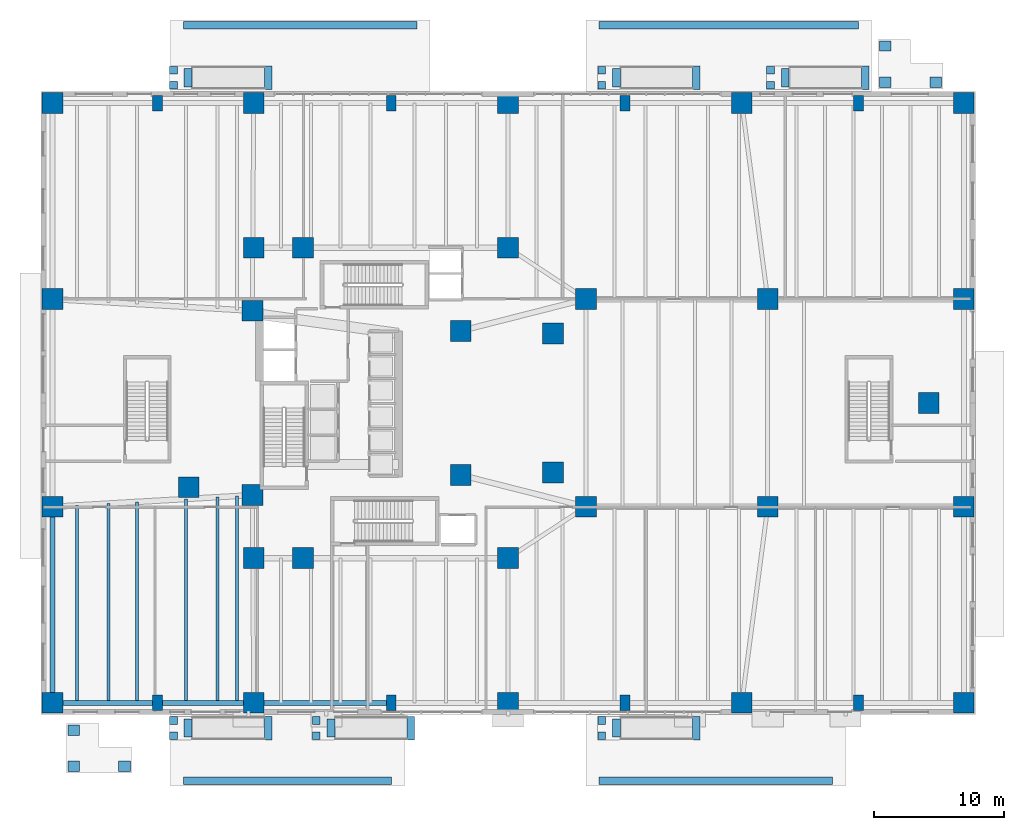
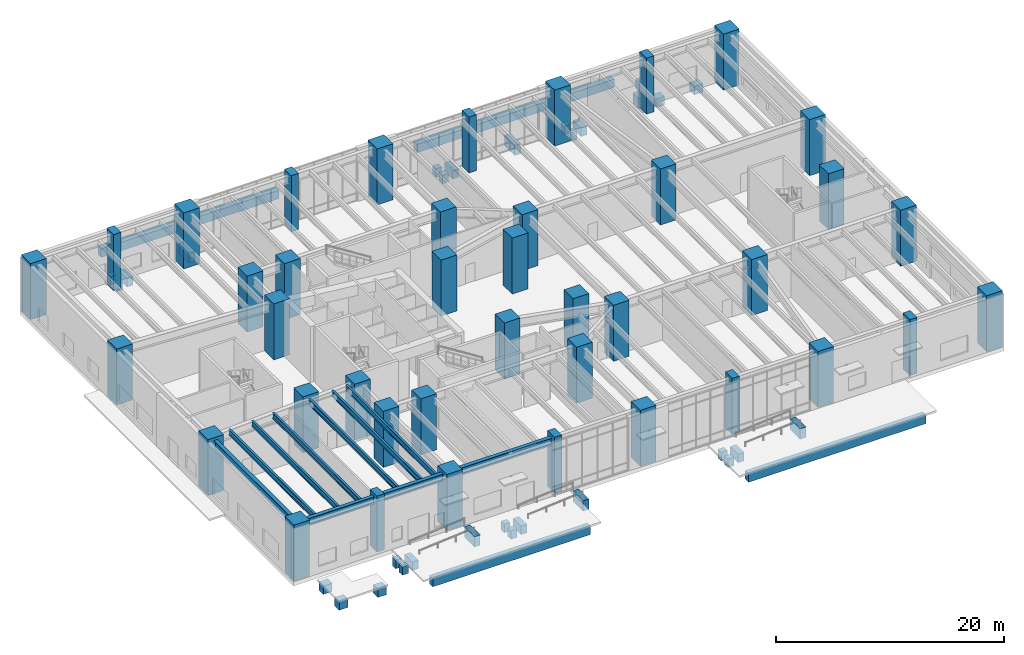
# One storey, part 1 of 28: 40 columns, 34 footings, 10 beams.
"""IFC4 building model written with IfcOpenShell, lengths in metres."""

import ifcopenshell
import ifcopenshell.guid

model = None  # the IFC model being written
_history = None  # IfcOwnerHistory: only IFC2X3 demands one
_inside = {}  # id of a spatial element -> (the spatial element, [elements in it])
_under = {}  # id of a project, library or spatial element -> (it, [spatial elements below it])
_declared = {}  # id of a project -> (the project, [libraries it declares])
_typed = {}  # id of a type object -> (the type object, [elements of that type])
_made_of = {}  # id of a material, layer set ... -> (it, [elements and type objects made of it])


def new_model(schema):
    """Start an empty IFC model of exactly this schema.

    Asked for "IFC4X3", IfcOpenShell would pick the latest addendum, in which some entities
    have other attributes; the version numbers below select the first issue.
    IFC2X3 requires an IfcOwnerHistory on every rooted entity: one is made here for all.
    """
    global model, _history
    if schema == "IFC4X3":
        model = ifcopenshell.file(schema_version=(4, 3, 0, 0))
    else:
        model = ifcopenshell.file(schema=schema)
    _inside.clear()
    _under.clear()
    _declared.clear()
    _typed.clear()
    _made_of.clear()
    _history = None
    if model.schema == "IFC2X3":
        org = make("IfcOrganization", Name="unknown")
        user = make(
            "IfcPersonAndOrganization",
            ThePerson=make("IfcPerson", FamilyName="unknown"),
            TheOrganization=org,
        )
        app = make(
            "IfcApplication",
            ApplicationDeveloper=org,
            Version="unknown",
            ApplicationFullName="unknown",
            ApplicationIdentifier="unknown",
        )
        _history = make(
            "IfcOwnerHistory",
            OwningUser=user,
            OwningApplication=app,
            ChangeAction="ADDED",
            CreationDate=0,
        )
    return model


def make(cls, **values):
    """One entity of the class cls with the attributes given. An attribute that is None is left unset."""
    return model.create_entity(
        cls, **{name: value for name, value in values.items() if value is not None}
    )


def rooted(cls, **values):
    """An entity with a GlobalId (a new one), such as an element, a storey or a relation."""
    return make(cls, GlobalId=ifcopenshell.guid.new(), OwnerHistory=_history, **values)


def si_unit(unit_type, name, prefix=None):
    """IfcSIUnit, for example si_unit("LENGTHUNIT", "METRE", prefix="MILLI")."""
    return make("IfcSIUnit", UnitType=unit_type, Prefix=prefix, Name=name)


def assignment(units):
    """IfcUnitAssignment: the units of a project."""
    return None if units is None else make("IfcUnitAssignment", Units=units)


def point(xyz):
    """IfcCartesianPoint."""
    return None if xyz is None else make("IfcCartesianPoint", Coordinates=xyz)


def direction(xyz):
    """IfcDirection."""
    return None if xyz is None else make("IfcDirection", DirectionRatios=xyz)


def frame(location, z_axis=None, x_axis=None):
    """IfcAxis2Placement3D, a coordinate frame: its origin and axes. An axis left out is left unset."""
    return make(
        "IfcAxis2Placement3D",
        Location=point(location),
        Axis=direction(z_axis),
        RefDirection=direction(x_axis),
    )


def frame_2d(location, x_axis=None):
    """IfcAxis2Placement2D, a coordinate frame in the plane: its origin and x axis."""
    return make(
        "IfcAxis2Placement2D", Location=point(location), RefDirection=direction(x_axis)
    )


def origin():
    """The frame at (0, 0, 0) with its axes left unset."""
    return frame((0.0, 0.0, 0.0))


def origin_2d():
    """The frame at (0, 0) in the plane with its x axis left unset."""
    return frame_2d((0.0, 0.0))


def place(relative_to, where):
    """IfcLocalPlacement: puts the frame where relative to a parent placement (None: the world)."""
    return make(
        "IfcLocalPlacement", PlacementRelTo=relative_to, RelativePlacement=where
    )


def context(
    kind, dimensions, precision=None, world=None, true_north=None, identifier=None
):
    """IfcGeometricRepresentationContext, for example the 3D "Model" context."""
    return make(
        "IfcGeometricRepresentationContext",
        ContextIdentifier=identifier,
        ContextType=kind,
        CoordinateSpaceDimension=dimensions,
        Precision=precision,
        WorldCoordinateSystem=world,
        TrueNorth=true_north,
    )


def subcontext(parent, identifier, kind, view, scale=None):
    """IfcGeometricRepresentationSubContext, for example "Body" below "Model"."""
    return make(
        "IfcGeometricRepresentationSubContext",
        ContextIdentifier=identifier,
        ContextType=kind,
        ParentContext=parent,
        TargetScale=scale,
        TargetView=view,
    )


def project(units=None, contexts=None):
    """IfcProject with its units and contexts."""
    return rooted(
        "IfcProject",
        Name="project",
        RepresentationContexts=contexts,
        UnitsInContext=assignment(units),
    )


def spatial(cls, under=None, at=None, **own):
    """A site, building, storey or space (cls), placed at a placement, below another one or the project."""
    s = rooted(cls, ObjectPlacement=at, **own)
    if under is not None:
        _under.setdefault(under.id(), (under, []))[1].append(s)
    return s


def polyline(points):
    """IfcPolyline through the points."""
    return make("IfcPolyline", Points=[point(p) for p in points])


def profile(cls, at=None, kind="AREA", **sizes):
    """A parametric profile (cls). Its sizes go by their IFC names, for example OverallWidth=200.0."""
    return make(cls, ProfileType=kind, Position=at, **sizes)


def rectangle(**sizes):
    """IfcRectangleProfileDef."""
    return profile("IfcRectangleProfileDef", **sizes)


def i_section(**sizes):
    """IfcIShapeProfileDef."""
    return profile("IfcIShapeProfileDef", **sizes)


def outline(outer, holes=None, kind="AREA"):
    """IfcArbitraryClosedProfileDef: a profile drawn as a closed curve; with holes, ...WithVoids."""
    if holes is None:
        return make("IfcArbitraryClosedProfileDef", ProfileType=kind, OuterCurve=outer)
    return make(
        "IfcArbitraryProfileDefWithVoids",
        ProfileType=kind,
        OuterCurve=outer,
        InnerCurves=holes,
    )


def extrude(swept, where, along, depth):
    """IfcExtrudedAreaSolid: the profile swept, set in the frame where, extruded along a direction by depth."""
    return make(
        "IfcExtrudedAreaSolid",
        SweptArea=swept,
        Position=where,
        ExtrudedDirection=direction(along),
        Depth=depth,
    )


def shape(context_of_items, identifier, shape_type, items):
    """IfcShapeRepresentation: the items that make up one representation, for example the "Body"."""
    return make(
        "IfcShapeRepresentation",
        ContextOfItems=context_of_items,
        RepresentationIdentifier=identifier,
        RepresentationType=shape_type,
        Items=items,
    )


def material(Name=None, Category=None):
    """IfcMaterial."""
    return make("IfcMaterial", Name=Name, Category=Category)


def material_profile(
    of_material, cross_section, Name=None, Category=None, Priority=None
):
    """IfcMaterialProfile: a cross section and its material."""
    return make(
        "IfcMaterialProfile",
        Name=Name,
        Material=of_material,
        Profile=cross_section,
        Priority=Priority,
        Category=Category,
    )


def profile_set(profiles, Name=None, composite=None):
    """IfcMaterialProfileSet."""
    return make(
        "IfcMaterialProfileSet",
        Name=Name,
        MaterialProfiles=profiles,
        CompositeProfile=composite,
    )


def made_of(thing, what):
    """Note that an element or type object is made of a material, layer set ...; save() writes the relation."""
    if what is not None:
        _made_of.setdefault(what.id(), (what, []))[1].append(thing)
    return thing


def type_object(cls, material=None, **own):
    """A type object (cls), such as IfcWallType, which elements share."""
    return made_of(rooted(cls, **own), material)


def element(
    cls,
    number,
    at=None,
    inside=None,
    cuts=None,
    type_object=None,
    material=None,
    context=None,
    identifier="Body",
    shape_type=None,
    held_by="IfcProductDefinitionShape",
    body=None,
    shapes=None,
    **own,
):
    """One element of the class cls, such as IfcWall. Its Tag is "e" and its number.

    at: its placement. inside: the storey or other place that contains it. cuts: it is an
    opening in that element (IfcRelVoidsElement). A single representation is given by context,
    identifier, shape_type and body (its items); several are given by shapes. held_by: the class
    of the entity that holds the representations. save() writes the other relations.
    """
    e = rooted(cls, Tag="e%d" % number, ObjectPlacement=at, **own)
    if body is not None:
        shapes = [shape(context, identifier, shape_type, body)]
    if shapes is not None:
        e.Representation = make(held_by, Representations=shapes)
    if inside is not None:
        _inside.setdefault(inside.id(), (inside, []))[1].append(e)
    if cuts is not None:
        rooted(
            "IfcRelVoidsElement", RelatingBuildingElement=cuts, RelatedOpeningElement=e
        )
    if type_object is not None:
        _typed.setdefault(type_object.id(), (type_object, []))[1].append(e)
    return made_of(e, material)


def aggregate(whole, parts):
    """IfcRelAggregates: a whole, such as a stair, and the parts it consists of."""
    return rooted("IfcRelAggregates", RelatingObject=whole, RelatedObjects=parts)


def save(model, path):
    """Write the relations noted so far, then the file.

    IfcRelAggregates (storeys below a building ...), IfcRelContainedInSpatialStructure (elements
    in a storey), IfcRelDefinesByType, IfcRelAssociatesMaterial and IfcRelDeclares: one each for
    every whole, place, type object, material and project.
    """
    for whole, parts in _under.values():
        aggregate(whole, parts)
    for where, things in _inside.values():
        rooted(
            "IfcRelContainedInSpatialStructure",
            RelatedElements=things,
            RelatingStructure=where,
        )
    for kind, things in _typed.values():
        rooted("IfcRelDefinesByType", RelatedObjects=things, RelatingType=kind)
    for what, things in _made_of.values():
        rooted("IfcRelAssociatesMaterial", RelatedObjects=things, RelatingMaterial=what)
    for by, libraries in _declared.values():
        rooted("IfcRelDeclares", RelatingContext=by, RelatedDefinitions=libraries)
    model.write(path)


model = new_model("IFC4")

# Units and contexts
model_context = context("Model", 3, precision=1e-05, world=origin(), true_north=direction((0.0, 1.0)))
body_context = subcontext(model_context, "Body", "Model", "MODEL_VIEW")
ifc_project = project(units=[si_unit("LENGTHUNIT", "METRE"), si_unit("AREAUNIT", "SQUARE_METRE"), si_unit("VOLUMEUNIT", "CUBIC_METRE"), si_unit("PLANEANGLEUNIT", "RADIAN"), si_unit("MASSUNIT", "GRAM", prefix="KILO"), si_unit("THERMODYNAMICTEMPERATUREUNIT", "KELVIN"), si_unit("POWERUNIT", "WATT")], contexts=[model_context])

# Site, building, storey
site_placement = place(None, origin())
site = spatial("IfcSite", under=ifc_project, at=site_placement, CompositionType="ELEMENT")
building_placement = place(site_placement, origin())
building = spatial("IfcBuilding", under=site, at=building_placement, Name="Skarre Station Tower", CompositionType="ELEMENT")
storey_placement = place(building_placement, origin())
storey = spatial("IfcBuildingStorey", under=building, at=storey_placement, Name="L01", CompositionType="ELEMENT", Elevation=0.0)

# Footings
ifc_material_1 = material(Name="Concrete C50/60", Category="concrete")
footing_type = type_object("IfcFootingType", Name="Perimeter Frost Strip Footing 1200x900", PredefinedType="STRIP_FOOTING", material=ifc_material_1)
footing_1_placement = place(storey_placement, frame((0.0, 0.0, -1.580078125)))
element("IfcFooting", 1, at=footing_1_placement, inside=storey, type_object=footing_type, Name="Accessible Ramp Landing SW Frost Strip 1", PredefinedType="STRIP_FOOTING", context=body_context, shape_type="SweptSolid", body=[
    extrude(outline(polyline([(9.919921875, -1.929931640625), (10.52001953125, -1.929931640625), (10.52001953125, -1.330078125), (9.919921875, -1.330078125), (9.919921875, -1.929931640625)])), origin(), (0.0, 0.0, 1.0), 0.900146484375),
])
footing_2_placement = place(storey_placement, frame((0.0, 0.0, -1.580078125)))
element("IfcFooting", 2, at=footing_2_placement, inside=storey, type_object=footing_type, Name="Accessible Ramp Landing NW Frost Strip 1", PredefinedType="STRIP_FOOTING", context=body_context, shape_type="SweptSolid", body=[
    extrude(outline(polyline([(9.919921875, -0.77001953125), (10.52001953125, -0.77001953125), (10.52001953125, -0.169921875), (9.919921875, -0.169921875), (9.919921875, -0.77001953125)])), origin(), (0.0, 0.0, 1.0), 0.900146484375),
])
footing_3_placement = place(storey_placement, frame((0.0, 0.0, -1.580078125)))
element("IfcFooting", 3, at=footing_3_placement, inside=storey, type_object=footing_type, Name="Accessible Ramp Landing East Frost Strip 1", PredefinedType="STRIP_FOOTING", context=body_context, shape_type="SweptSolid", body=[
    extrude(outline(polyline([(11.050048828125, -1.75), (11.64990234375, -1.75), (11.64990234375, -0.35009765625), (11.050048828125, -0.35009765625), (11.050048828125, -1.75)])), origin(), (0.0, 0.0, 1.0), 0.900146484375),
])
footing_4_placement = place(storey_placement, frame((0.0, 0.0, -1.10009765625)))
element("IfcFooting", 4, at=footing_4_placement, inside=storey, type_object=footing_type, Name="Accessible Ramp Flight Head Frost Strip 1", PredefinedType="STRIP_FOOTING", context=body_context, shape_type="SweptSolid", body=[
    extrude(outline(polyline([(17.219970703125, -1.949951171875), (17.800048828125, -1.949951171875), (17.800048828125, -0.14990234375), (17.219970703125, -0.14990234375), (17.219970703125, -1.949951171875)])), origin(), (0.0, 0.0, 1.0), 1.10009765625),
])
footing_5_placement = place(storey_placement, frame((0.0, 0.0, -1.580078125)))
element("IfcFooting", 5, at=footing_5_placement, inside=storey, type_object=footing_type, Name="Accessible Ramp Landing SW Frost Strip 2", PredefinedType="STRIP_FOOTING", context=body_context, shape_type="SweptSolid", body=[
    extrude(outline(polyline([(20.919921875, -1.929931640625), (21.52001953125, -1.929931640625), (21.52001953125, -1.330078125), (20.919921875, -1.330078125), (20.919921875, -1.929931640625)])), origin(), (0.0, 0.0, 1.0), 0.900146484375),
])
footing_6_placement = place(storey_placement, frame((0.0, 0.0, -1.580078125)))
element("IfcFooting", 6, at=footing_6_placement, inside=storey, type_object=footing_type, Name="Accessible Ramp Landing NW Frost Strip 2", PredefinedType="STRIP_FOOTING", context=body_context, shape_type="SweptSolid", body=[
    extrude(outline(polyline([(20.919921875, -0.77001953125), (21.52001953125, -0.77001953125), (21.52001953125, -0.169921875), (20.919921875, -0.169921875), (20.919921875, -0.77001953125)])), origin(), (0.0, 0.0, 1.0), 0.900146484375),
])
footing_7_placement = place(storey_placement, frame((0.0, 0.0, -1.580078125)))
element("IfcFooting", 7, at=footing_7_placement, inside=storey, type_object=footing_type, Name="Accessible Ramp Landing East Frost Strip 2", PredefinedType="STRIP_FOOTING", context=body_context, shape_type="SweptSolid", body=[
    extrude(outline(polyline([(22.050048828125, -1.75), (22.64990234375, -1.75), (22.64990234375, -0.35009765625), (22.050048828125, -0.35009765625), (22.050048828125, -1.75)])), origin(), (0.0, 0.0, 1.0), 0.900146484375),
])
footing_8_placement = place(storey_placement, frame((0.0, 0.0, -1.10009765625)))
element("IfcFooting", 8, at=footing_8_placement, inside=storey, type_object=footing_type, Name="Accessible Ramp Flight Head Frost Strip 2", PredefinedType="STRIP_FOOTING", context=body_context, shape_type="SweptSolid", body=[
    extrude(outline(polyline([(28.219970703125, -1.949951171875), (28.800048828125, -1.949951171875), (28.800048828125, -0.14990234375), (28.219970703125, -0.14990234375), (28.219970703125, -1.949951171875)])), origin(), (0.0, 0.0, 1.0), 1.10009765625),
])
footing_9_placement = place(storey_placement, frame((0.0, 0.0, -1.580078125)))
element("IfcFooting", 9, at=footing_9_placement, inside=storey, type_object=footing_type, Name="Accessible Ramp Landing SW Frost Strip 3", PredefinedType="STRIP_FOOTING", context=body_context, shape_type="SweptSolid", body=[
    extrude(outline(polyline([(42.919921875, -1.929931640625), (43.52001953125, -1.929931640625), (43.52001953125, -1.330078125), (42.919921875, -1.330078125), (42.919921875, -1.929931640625)])), origin(), (0.0, 0.0, 1.0), 0.900146484375),
])
footing_10_placement = place(storey_placement, frame((0.0, 0.0, -1.580078125)))
element("IfcFooting", 10, at=footing_10_placement, inside=storey, type_object=footing_type, Name="Accessible Ramp Landing NW Frost Strip 3", PredefinedType="STRIP_FOOTING", context=body_context, shape_type="SweptSolid", body=[
    extrude(outline(polyline([(42.919921875, -0.77001953125), (43.52001953125, -0.77001953125), (43.52001953125, -0.169921875), (42.919921875, -0.169921875), (42.919921875, -0.77001953125)])), origin(), (0.0, 0.0, 1.0), 0.900146484375),
])
footing_11_placement = place(storey_placement, frame((0.0, 0.0, -1.580078125)))
element("IfcFooting", 11, at=footing_11_placement, inside=storey, type_object=footing_type, Name="Accessible Ramp Landing East Frost Strip 3", PredefinedType="STRIP_FOOTING", context=body_context, shape_type="SweptSolid", body=[
    extrude(outline(polyline([(44.050048828125, -1.75), (44.64990234375, -1.75), (44.64990234375, -0.35009765625), (44.050048828125, -0.35009765625), (44.050048828125, -1.75)])), origin(), (0.0, 0.0, 1.0), 0.900146484375),
])
footing_12_placement = place(storey_placement, frame((0.0, 0.0, -1.10009765625)))
element("IfcFooting", 12, at=footing_12_placement, inside=storey, type_object=footing_type, Name="Accessible Ramp Flight Head Frost Strip 3", PredefinedType="STRIP_FOOTING", context=body_context, shape_type="SweptSolid", body=[
    extrude(outline(polyline([(50.219970703125, -1.949951171875), (50.800048828125, -1.949951171875), (50.800048828125, -0.14990234375), (50.219970703125, -0.14990234375), (50.219970703125, -1.949951171875)])), origin(), (0.0, 0.0, 1.0), 1.10009765625),
])
footing_13_placement = place(storey_placement, frame((0.0, 0.0, -1.580078125)))
element("IfcFooting", 13, at=footing_13_placement, inside=storey, type_object=footing_type, Name="Accessible Ramp Landing SW Frost Strip 4", PredefinedType="STRIP_FOOTING", context=body_context, shape_type="SweptSolid", body=[
    extrude(outline(polyline([(9.919921875, 48.169921875), (10.52001953125, 48.169921875), (10.52001953125, 48.77001953125), (9.919921875, 48.77001953125), (9.919921875, 48.169921875)])), origin(), (0.0, 0.0, 1.0), 0.900146484375),
])
footing_14_placement = place(storey_placement, frame((0.0, 0.0, -1.580078125)))
element("IfcFooting", 14, at=footing_14_placement, inside=storey, type_object=footing_type, Name="Accessible Ramp Landing NW Frost Strip 4", PredefinedType="STRIP_FOOTING", context=body_context, shape_type="SweptSolid", body=[
    extrude(outline(polyline([(9.919921875, 49.330078125), (10.52001953125, 49.330078125), (10.52001953125, 49.929931640625), (9.919921875, 49.929931640625), (9.919921875, 49.330078125)])), origin(), (0.0, 0.0, 1.0), 0.900146484375),
])
footing_15_placement = place(storey_placement, frame((0.0, 0.0, -1.580078125)))
element("IfcFooting", 15, at=footing_15_placement, inside=storey, type_object=footing_type, Name="Accessible Ramp Landing East Frost Strip 4", PredefinedType="STRIP_FOOTING", context=body_context, shape_type="SweptSolid", body=[
    extrude(outline(polyline([(11.050048828125, 48.35009765625), (11.64990234375, 48.35009765625), (11.64990234375, 49.75), (11.050048828125, 49.75), (11.050048828125, 48.35009765625)])), origin(), (0.0, 0.0, 1.0), 0.900146484375),
])
footing_16_placement = place(storey_placement, frame((0.0, 0.0, -1.10009765625)))
element("IfcFooting", 16, at=footing_16_placement, inside=storey, type_object=footing_type, Name="Accessible Ramp Flight Head Frost Strip 4", PredefinedType="STRIP_FOOTING", context=body_context, shape_type="SweptSolid", body=[
    extrude(outline(polyline([(17.219970703125, 48.14990234375), (17.800048828125, 48.14990234375), (17.800048828125, 49.949951171875), (17.219970703125, 49.949951171875), (17.219970703125, 48.14990234375)])), origin(), (0.0, 0.0, 1.0), 1.10009765625),
])
footing_17_placement = place(storey_placement, frame((0.0, 0.0, -1.580078125)))
element("IfcFooting", 17, at=footing_17_placement, inside=storey, type_object=footing_type, Name="Accessible Ramp Landing SW Frost Strip 5", PredefinedType="STRIP_FOOTING", context=body_context, shape_type="SweptSolid", body=[
    extrude(outline(polyline([(42.919921875, 48.169921875), (43.52001953125, 48.169921875), (43.52001953125, 48.77001953125), (42.919921875, 48.77001953125), (42.919921875, 48.169921875)])), origin(), (0.0, 0.0, 1.0), 0.900146484375),
])
footing_18_placement = place(storey_placement, frame((0.0, 0.0, -1.580078125)))
element("IfcFooting", 18, at=footing_18_placement, inside=storey, type_object=footing_type, Name="Accessible Ramp Landing NW Frost Strip 5", PredefinedType="STRIP_FOOTING", context=body_context, shape_type="SweptSolid", body=[
    extrude(outline(polyline([(42.919921875, 49.330078125), (43.52001953125, 49.330078125), (43.52001953125, 49.929931640625), (42.919921875, 49.929931640625), (42.919921875, 49.330078125)])), origin(), (0.0, 0.0, 1.0), 0.900146484375),
])
footing_19_placement = place(storey_placement, frame((0.0, 0.0, -1.580078125)))
element("IfcFooting", 19, at=footing_19_placement, inside=storey, type_object=footing_type, Name="Accessible Ramp Landing East Frost Strip 5", PredefinedType="STRIP_FOOTING", context=body_context, shape_type="SweptSolid", body=[
    extrude(outline(polyline([(44.050048828125, 48.35009765625), (44.64990234375, 48.35009765625), (44.64990234375, 49.75), (44.050048828125, 49.75), (44.050048828125, 48.35009765625)])), origin(), (0.0, 0.0, 1.0), 0.900146484375),
])
footing_20_placement = place(storey_placement, frame((0.0, 0.0, -1.10009765625)))
element("IfcFooting", 20, at=footing_20_placement, inside=storey, type_object=footing_type, Name="Accessible Ramp Flight Head Frost Strip 5", PredefinedType="STRIP_FOOTING", context=body_context, shape_type="SweptSolid", body=[
    extrude(outline(polyline([(50.219970703125, 48.14990234375), (50.800048828125, 48.14990234375), (50.800048828125, 49.949951171875), (50.219970703125, 49.949951171875), (50.219970703125, 48.14990234375)])), origin(), (0.0, 0.0, 1.0), 1.10009765625),
])
footing_21_placement = place(storey_placement, frame((0.0, 0.0, -1.580078125)))
element("IfcFooting", 21, at=footing_21_placement, inside=storey, type_object=footing_type, Name="Accessible Ramp Landing SW Frost Strip 6", PredefinedType="STRIP_FOOTING", context=body_context, shape_type="SweptSolid", body=[
    extrude(outline(polyline([(55.919921875, 48.169921875), (56.52001953125, 48.169921875), (56.52001953125, 48.77001953125), (55.919921875, 48.77001953125), (55.919921875, 48.169921875)])), origin(), (0.0, 0.0, 1.0), 0.900146484375),
])
footing_22_placement = place(storey_placement, frame((0.0, 0.0, -1.580078125)))
element("IfcFooting", 22, at=footing_22_placement, inside=storey, type_object=footing_type, Name="Accessible Ramp Landing NW Frost Strip 6", PredefinedType="STRIP_FOOTING", context=body_context, shape_type="SweptSolid", body=[
    extrude(outline(polyline([(55.919921875, 49.330078125), (56.52001953125, 49.330078125), (56.52001953125, 49.929931640625), (55.919921875, 49.929931640625), (55.919921875, 49.330078125)])), origin(), (0.0, 0.0, 1.0), 0.900146484375),
])
footing_23_placement = place(storey_placement, frame((0.0, 0.0, -1.580078125)))
element("IfcFooting", 23, at=footing_23_placement, inside=storey, type_object=footing_type, Name="Accessible Ramp Landing East Frost Strip 6", PredefinedType="STRIP_FOOTING", context=body_context, shape_type="SweptSolid", body=[
    extrude(outline(polyline([(57.050048828125, 48.35009765625), (57.64990234375, 48.35009765625), (57.64990234375, 49.75), (57.050048828125, 49.75), (57.050048828125, 48.35009765625)])), origin(), (0.0, 0.0, 1.0), 0.900146484375),
])
footing_24_placement = place(storey_placement, frame((0.0, 0.0, -1.10009765625)))
element("IfcFooting", 24, at=footing_24_placement, inside=storey, type_object=footing_type, Name="Accessible Ramp Flight Head Frost Strip 6", PredefinedType="STRIP_FOOTING", context=body_context, shape_type="SweptSolid", body=[
    extrude(outline(polyline([(63.219970703125, 48.14990234375), (63.800048828125, 48.14990234375), (63.800048828125, 49.949951171875), (63.219970703125, 49.949951171875), (63.219970703125, 48.14990234375)])), origin(), (0.0, 0.0, 1.0), 1.10009765625),
])
footing_25_placement = place(storey_placement, frame((0.0, 0.0, -1.090087890625)))
element("IfcFooting", 25, at=footing_25_placement, inside=storey, type_object=footing_type, Name="Plaza Apron Frost Strip Footing S1", PredefinedType="STRIP_FOOTING", context=body_context, shape_type="SweptSolid", body=[
    extrude(outline(polyline([(11.0, -5.39990234375), (27.0, -5.39990234375), (27.0, -4.800048828125), (11.0, -4.800048828125), (11.0, -5.39990234375)])), origin(), (0.0, 0.0, 1.0), 0.900146484375),
])
footing_26_placement = place(storey_placement, frame((0.0, 0.0, -1.090087890625)))
element("IfcFooting", 26, at=footing_26_placement, inside=storey, type_object=footing_type, Name="Plaza Apron Frost Strip Footing S2", PredefinedType="STRIP_FOOTING", context=body_context, shape_type="SweptSolid", body=[
    extrude(outline(polyline([(43.0, -5.39990234375), (61.0, -5.39990234375), (61.0, -4.800048828125), (43.0, -4.800048828125), (43.0, -5.39990234375)])), origin(), (0.0, 0.0, 1.0), 0.900146484375),
])
footing_27_placement = place(storey_placement, frame((0.0, 0.0, -1.090087890625)))
element("IfcFooting", 27, at=footing_27_placement, inside=storey, type_object=footing_type, Name="Plaza Apron Frost Strip Footing N1", PredefinedType="STRIP_FOOTING", context=body_context, shape_type="SweptSolid", body=[
    extrude(outline(polyline([(11.0, 52.800048828125), (29.0, 52.800048828125), (29.0, 53.39990234375), (11.0, 53.39990234375), (11.0, 52.800048828125)])), origin(), (0.0, 0.0, 1.0), 0.900146484375),
])
footing_28_placement = place(storey_placement, frame((0.0, 0.0, -1.090087890625)))
element("IfcFooting", 28, at=footing_28_placement, inside=storey, type_object=footing_type, Name="Plaza Apron Frost Strip Footing N2", PredefinedType="STRIP_FOOTING", context=body_context, shape_type="SweptSolid", body=[
    extrude(outline(polyline([(43.0, 52.800048828125), (63.0, 52.800048828125), (63.0, 53.39990234375), (43.0, 53.39990234375), (43.0, 52.800048828125)])), origin(), (0.0, 0.0, 1.0), 0.900146484375),
])
footing_29_placement = place(storey_placement, frame((0.0, 0.0, -1.090087890625)))
element("IfcFooting", 29, at=footing_29_placement, inside=storey, type_object=footing_type, Name="Plaza Apron Frost Strip Footing ST1A", PredefinedType="STRIP_FOOTING", context=body_context, shape_type="SweptSolid", body=[
    extrude(outline(polyline([(2.10009765625, -4.39990234375), (3.0, -4.39990234375), (3.0, -3.60009765625), (2.10009765625, -3.60009765625), (2.10009765625, -4.39990234375)])), origin(), (0.0, 0.0, 1.0), 0.900146484375),
])
footing_30_placement = place(storey_placement, frame((0.0, 0.0, -1.090087890625)))
element("IfcFooting", 30, at=footing_30_placement, inside=storey, type_object=footing_type, Name="Plaza Apron Frost Strip Footing ST1B", PredefinedType="STRIP_FOOTING", context=body_context, shape_type="SweptSolid", body=[
    extrude(outline(polyline([(6.0, -4.39990234375), (6.89990234375, -4.39990234375), (6.89990234375, -3.60009765625), (6.0, -3.60009765625), (6.0, -4.39990234375)])), origin(), (0.0, 0.0, 1.0), 0.900146484375),
])
footing_31_placement = place(storey_placement, frame((0.0, 0.0, -1.090087890625)))
element("IfcFooting", 31, at=footing_31_placement, inside=storey, type_object=footing_type, Name="Plaza Apron Frost Strip Footing ST1C", PredefinedType="STRIP_FOOTING", context=body_context, shape_type="SweptSolid", body=[
    extrude(outline(polyline([(2.10009765625, -1.60009765625), (3.0, -1.60009765625), (3.0, -0.800048828125), (2.10009765625, -0.800048828125), (2.10009765625, -1.60009765625)])), origin(), (0.0, 0.0, 1.0), 0.900146484375),
])
footing_32_placement = place(storey_placement, frame((0.0, 0.0, -1.090087890625)))
element("IfcFooting", 32, at=footing_32_placement, inside=storey, type_object=footing_type, Name="Plaza Apron Frost Strip Footing ST2A", PredefinedType="STRIP_FOOTING", context=body_context, shape_type="SweptSolid", body=[
    extrude(outline(polyline([(64.60009765625, 48.300048828125), (65.5, 48.300048828125), (65.5, 49.10009765625), (64.60009765625, 49.10009765625), (64.60009765625, 48.300048828125)])), origin(), (0.0, 0.0, 1.0), 0.900146484375),
])
footing_33_placement = place(storey_placement, frame((0.0, 0.0, -1.090087890625)))
element("IfcFooting", 33, at=footing_33_placement, inside=storey, type_object=footing_type, Name="Plaza Apron Frost Strip Footing ST2B", PredefinedType="STRIP_FOOTING", context=body_context, shape_type="SweptSolid", body=[
    extrude(outline(polyline([(68.5, 48.300048828125), (69.39990234375, 48.300048828125), (69.39990234375, 49.10009765625), (68.5, 49.10009765625), (68.5, 48.300048828125)])), origin(), (0.0, 0.0, 1.0), 0.900146484375),
])
footing_34_placement = place(storey_placement, frame((0.0, 0.0, -1.090087890625)))
element("IfcFooting", 34, at=footing_34_placement, inside=storey, type_object=footing_type, Name="Plaza Apron Frost Strip Footing ST2C", PredefinedType="STRIP_FOOTING", context=body_context, shape_type="SweptSolid", body=[
    extrude(outline(polyline([(64.60009765625, 51.10009765625), (65.5, 51.10009765625), (65.5, 51.89990234375), (64.60009765625, 51.89990234375), (64.60009765625, 51.10009765625)])), origin(), (0.0, 0.0, 1.0), 0.900146484375),
])

# Columns
ifc_material_2 = material(Name="Concrete C70/85", Category="concrete")
ifc_material_profile_1 = material_profile(ifc_material_2, rectangle(XDim=1.60009765625, YDim=1.60009765625, at=origin_2d()), Name="Concrete C70/85")
ifc_profile_set_1 = profile_set([ifc_material_profile_1], Name="Concrete C70/85")
column_type_1 = type_object("IfcColumnType", Name="RC Structural Column RC-COL-1600X1600", PredefinedType="COLUMN", material=ifc_profile_set_1)
for number, where, z_axis, x_axis, name in (
    (35, (16.300048828125, 16.89990234375, 0.0), (0.0, 0.0, 1.0), (1.0, 0.0, 0.0), "L01 Core Column CC-SW"),
    (36, (16.300048828125, 31.10009765625, 0.0), (0.0, 0.0, 1.0), (1.0, 0.0, 0.0), "L01 Core Column CC-NW"),
    (37, (32.35009765625, 18.449951171875, 0.0), (0.0, 0.0, 1.0), (1.0, 0.0, 0.0), "L01 Core Column CC-SE"),
    (38, (32.35009765625, 29.550048828125, 0.0), (0.0, 0.0, 1.0), (1.0, 0.0, 0.0), "L01 Core Column CC-NE"),
    (39, (0.89990234375, 0.89990234375, 0.0), (0.0, 0.0, 1.0), (1.0, 0.0, 0.0), "L01 Station Concourse Mega-Column PM01"),
    (40, (71.10009765625, 0.89990234375, 0.0), (0.0, 0.0, 1.0), (1.0, 0.0, 0.0), "L01 Station Concourse Mega-Column PM02"),
    (41, (0.89990234375, 47.10009765625, 0.0), (0.0, 0.0, 1.0), (1.0, 0.0, 0.0), "L01 Station Concourse Mega-Column PM03"),
    (42, (71.10009765625, 47.10009765625, 0.0), (0.0, 0.0, 1.0), (1.0, 0.0, 0.0), "L01 Station Concourse Mega-Column PM04"),
    (43, (16.39990234375, 0.89990234375, 0.0), (0.0, 0.0, 1.0), (1.0, 0.0, 0.0), "L01 Station Concourse Mega-Column PM05"),
    (44, (36.0, 0.89990234375, 0.0), (0.0, 0.0, 1.0), (1.0, 0.0, 0.0), "L01 Station Concourse Mega-Column PM06"),
    (45, (54.0, 0.89990234375, 0.0), (0.0, 0.0, 1.0), (1.0, 0.0, 0.0), "L01 Station Concourse Mega-Column PM07"),
    (46, (16.39990234375, 47.10009765625, 0.0), (0.0, 0.0, 1.0), (1.0, 0.0, 0.0), "L01 Station Concourse Mega-Column PM08"),
    (47, (36.0, 47.10009765625, 0.0), (0.0, 0.0, 1.0), (1.0, 0.0, 0.0), "L01 Station Concourse Mega-Column PM09"),
    (48, (54.0, 47.10009765625, 0.0), (0.0, 0.0, 1.0), (1.0, 0.0, 0.0), "L01 Station Concourse Mega-Column PM10"),
    (49, (0.89990234375, 16.0, 0.0), (0.0, 0.0, 1.0), (1.0, 0.0, 0.0), "L01 Station Concourse Mega-Column PM11"),
    (50, (0.89990234375, 32.0, 0.0), (0.0, 0.0, 1.0), (1.0, 0.0, 0.0), "L01 Station Concourse Mega-Column PM12"),
    (51, (71.10009765625, 16.0, 0.0), (0.0, 0.0, 1.0), (1.0, 0.0, 0.0), "L01 Station Concourse Mega-Column PM13"),
    (52, (71.10009765625, 32.0, 0.0), (0.0, 0.0, 1.0), (1.0, 0.0, 0.0), "L01 Station Concourse Mega-Column PM14"),
    (53, (42.0, 16.0, 0.0), (0.0, 0.0, 1.0), (1.0, 0.0, 0.0), "L01 Station Concourse Mega-Column PM15"),
    (54, (42.0, 32.0, 0.0), (0.0, 0.0, 1.0), (1.0, 0.0, 0.0), "L01 Station Concourse Mega-Column PM16"),
    (55, (56.0, 16.0, 0.0), (0.0, 0.0, 1.0), (1.0, 0.0, 0.0), "L01 Station Concourse Mega-Column PM17"),
    (56, (56.0, 32.0, 0.0), (0.0, 0.0, 1.0), (1.0, 0.0, 0.0), "L01 Station Concourse Mega-Column PM18"),
    (57, (11.39990234375, 17.5, 0.0), (0.0, 0.0, 1.0), (1.0, 0.0, 0.0), "L01 Station Concourse Mega-Column PM19"),
    (58, (68.39990234375, 24.0, 0.0), (0.0, 0.0, 1.0), (1.0, 0.0, 0.0), "L01 Station Concourse Mega-Column PM20"),
    (59, (20.199951171875, 35.949951171875, 0.0), (0.0, 0.0, 1.0), (1.0, 0.0, 0.0), "L01 Station Concourse Mega-Column PM21"),
    (60, (20.199951171875, 12.050048828125, 0.0), (0.0, 0.0, 1.0), (1.0, 0.0, 0.0), "L01 Station Concourse Mega-Column PM22"),
    (61, (16.39990234375, 12.050048828125, 0.0), (0.0, 0.0, 1.0), (1.0, 0.0, 0.0), "L01 Station Concourse Mega-Column PM23"),
    (62, (36.0, 12.050048828125, 0.0), (0.0, 0.0, 1.0), (1.0, 0.0, 0.0), "L01 Station Concourse Mega-Column PM24"),
    (63, (16.39990234375, 35.949951171875, 0.0), (0.0, 0.0, 1.0), (1.0, 0.0, 0.0), "L01 Station Concourse Mega-Column PM25"),
    (64, (36.0, 35.949951171875, 0.0), (0.0, 0.0, 1.0), (1.0, 0.0, 0.0), "L01 Station Concourse Mega-Column PM26"),
    (65, (39.449951171875, 18.64990234375, 0.0), (0.0, 0.0, 1.0), (1.0, 0.0, 0.0), "L01 Station Concourse Mega-Column PM27"),
    (66, (39.449951171875, 29.35009765625, 0.0), (0.0, 0.0, 1.0), (1.0, 0.0, 0.0), "L01 Station Concourse Mega-Column PM28"),
):
    element("IfcColumn", number, at=place(storey_placement, frame(where, z_axis=z_axis, x_axis=x_axis)), inside=storey, type_object=column_type_1, Name=name, PredefinedType="COLUMN", context=body_context, shape_type="SweptSolid", body=[
        extrude(rectangle(XDim=1.60009765625, YDim=1.60009765625, at=origin_2d()), origin(), (0.0, 0.0, 1.0), 6.0),
    ])
ifc_material_3 = material(Name="Concrete C60/75", Category="concrete")
ifc_material_profile_2 = material_profile(ifc_material_3, rectangle(XDim=0.75, YDim=1.199951171875, at=origin_2d()), Name="Concrete C60/75")
ifc_profile_set_2 = profile_set([ifc_material_profile_2], Name="Concrete C60/75")
column_type_2 = type_object("IfcColumnType", Name="RC Structural Pilaster RC-PIER-1200X750", PredefinedType="PILASTER", material=ifc_profile_set_2)
for number, where, z_axis, x_axis, name in (
    (67, (9.0, 0.89990234375, 0.0), (0.0, 0.0, 1.0), (1.0, 0.0, 0.0), "L01 Concourse Facade Pilaster P1"),
    (68, (27.0, 0.89990234375, 0.0), (0.0, 0.0, 1.0), (1.0, 0.0, 0.0), "L01 Concourse Facade Pilaster P2"),
    (69, (45.0, 0.89990234375, 0.0), (0.0, 0.0, 1.0), (1.0, 0.0, 0.0), "L01 Concourse Facade Pilaster P3"),
    (70, (63.0, 0.89990234375, 0.0), (0.0, 0.0, 1.0), (1.0, 0.0, 0.0), "L01 Concourse Facade Pilaster P4"),
    (71, (9.0, 47.10009765625, 0.0), (0.0, 0.0, 1.0), (1.0, 0.0, 0.0), "L01 Concourse Facade Pilaster P5"),
    (72, (27.0, 47.10009765625, 0.0), (0.0, 0.0, 1.0), (1.0, 0.0, 0.0), "L01 Concourse Facade Pilaster P6"),
    (73, (45.0, 47.10009765625, 0.0), (0.0, 0.0, 1.0), (1.0, 0.0, 0.0), "L01 Concourse Facade Pilaster P7"),
    (74, (63.0, 47.10009765625, 0.0), (0.0, 0.0, 1.0), (1.0, 0.0, 0.0), "L01 Concourse Facade Pilaster P8"),
):
    element("IfcColumn", number, at=place(storey_placement, frame(where, z_axis=z_axis, x_axis=x_axis)), inside=storey, type_object=column_type_2, Name=name, PredefinedType="PILASTER", context=body_context, shape_type="SweptSolid", body=[
        extrude(rectangle(XDim=0.75, YDim=1.199951171875, at=origin_2d()), origin(), (0.0, 0.0, 1.0), 6.0),
    ])

# Beams
ifc_material_4 = material(Name="Steel ASTM A992 Grade 50", Category="steel")
ifc_material_profile_3 = material_profile(ifc_material_4, i_section(OverallWidth=0.22802734375, OverallDepth=0.60791015625, WebThickness=0.010986328125, FlangeThickness=0.01708984375, at=origin_2d()), Name="Steel ASTM A992 Grade 50")
ifc_profile_set_3 = profile_set([ifc_material_profile_3], Name="Steel ASTM A992 Grade 50")
beam_type_1 = type_object("IfcBeamType", Name="Steel Joist W24X76", PredefinedType="JOIST", material=ifc_profile_set_3)
beam_1_placement = place(storey_placement, frame((2.800048828125, 0.89990234375, 5.385986328125), z_axis=(0.0, 1.0, 0.0), x_axis=(-1.0, 0.0, 0.0)))
element("IfcBeam", 75, at=beam_1_placement, inside=storey, type_object=beam_type_1, Name="L01 South Bay Joist 1", PredefinedType="JOIST", context=body_context, shape_type="SweptSolid", body=[
    extrude(i_section(OverallWidth=0.22802734375, OverallDepth=0.60791015625, WebThickness=0.010986328125, FlangeThickness=0.01708984375, at=origin_2d()), origin(), (0.0, 0.0, 1.0), 15.211181640625),
])
beam_2_placement = place(storey_placement, frame((5.199951171875, 0.89990234375, 5.385986328125), z_axis=(0.0, 1.0, 0.0), x_axis=(-1.0, 0.0, 0.0)))
element("IfcBeam", 76, at=beam_2_placement, inside=storey, type_object=beam_type_1, Name="L01 South Bay Joist 2", PredefinedType="JOIST", context=body_context, shape_type="SweptSolid", body=[
    extrude(i_section(OverallWidth=0.22802734375, OverallDepth=0.60791015625, WebThickness=0.010986328125, FlangeThickness=0.01708984375, at=origin_2d()), origin(), (0.0, 0.0, 1.0), 15.35107421875),
])
beam_3_placement = place(storey_placement, frame((7.39990234375, 0.89990234375, 5.385986328125), z_axis=(0.0, 1.0, 0.0), x_axis=(-1.0, 0.0, 0.0)))
element("IfcBeam", 77, at=beam_3_placement, inside=storey, type_object=beam_type_1, Name="L01 South Bay Joist 3", PredefinedType="JOIST", context=body_context, shape_type="SweptSolid", body=[
    extrude(i_section(OverallWidth=0.22802734375, OverallDepth=0.60791015625, WebThickness=0.010986328125, FlangeThickness=0.01708984375, at=origin_2d()), origin(), (0.0, 0.0, 1.0), 15.47998046875),
])
beam_4_placement = place(storey_placement, frame((11.199951171875, 0.89990234375, 5.385986328125), z_axis=(0.0, 1.0, 0.0), x_axis=(-1.0, 0.0, 0.0)))
element("IfcBeam", 78, at=beam_4_placement, inside=storey, type_object=beam_type_1, Name="L01 South Bay Joist 4", PredefinedType="JOIST", context=body_context, shape_type="SweptSolid", body=[
    extrude(i_section(OverallWidth=0.22802734375, OverallDepth=0.60791015625, WebThickness=0.010986328125, FlangeThickness=0.01708984375, at=origin_2d()), origin(), (0.0, 0.0, 1.0), 15.7021484375),
])
beam_5_placement = place(storey_placement, frame((13.60009765625, 0.89990234375, 5.385986328125), z_axis=(0.0, 1.0, 0.0), x_axis=(-1.0, 0.0, 0.0)))
element("IfcBeam", 79, at=beam_5_placement, inside=storey, type_object=beam_type_1, Name="L01 South Bay Joist 5", PredefinedType="JOIST", context=body_context, shape_type="SweptSolid", body=[
    extrude(i_section(OverallWidth=0.22802734375, OverallDepth=0.60791015625, WebThickness=0.010986328125, FlangeThickness=0.01708984375, at=origin_2d()), origin(), (0.0, 0.0, 1.0), 15.842041015625),
])
beam_6_placement = place(storey_placement, frame((15.10009765625, 0.89990234375, 5.385986328125), z_axis=(0.0, 1.0, 0.0), x_axis=(-1.0, 0.0, 0.0)))
element("IfcBeam", 80, at=beam_6_placement, inside=storey, type_object=beam_type_1, Name="L01 South Bay Joist 6", PredefinedType="JOIST", context=body_context, shape_type="SweptSolid", body=[
    extrude(i_section(OverallWidth=0.22802734375, OverallDepth=0.60791015625, WebThickness=0.010986328125, FlangeThickness=0.01708984375, at=origin_2d()), origin(), (0.0, 0.0, 1.0), 15.93017578125),
])
ifc_material_profile_4 = material_profile(ifc_material_4, i_section(OverallWidth=0.384033203125, OverallDepth=0.785888671875, WebThickness=0.02001953125, FlangeThickness=0.032958984375, at=origin_2d()), Name="Steel ASTM A992 Grade 50")
ifc_profile_set_4 = profile_set([ifc_material_profile_4], Name="Steel ASTM A992 Grade 50")
beam_type_2 = type_object("IfcBeamType", Name="Steel Spandrel W30X211", PredefinedType="SPANDREL", material=ifc_profile_set_4)
beam_7_placement = place(storey_placement, frame((0.89990234375, 0.89990234375, 5.297119140625), z_axis=(1.0, 0.0, 0.0), x_axis=(0.0, 1.0, 0.0)))
element("IfcBeam", 81, at=beam_7_placement, inside=storey, type_object=beam_type_2, Name="L01 South Podium Spandrel 1", PredefinedType="SPANDREL", context=body_context, shape_type="SweptSolid", body=[
    extrude(i_section(OverallWidth=0.384033203125, OverallDepth=0.785888671875, WebThickness=0.02001953125, FlangeThickness=0.032958984375, at=origin_2d()), origin(), (0.0, 0.0, 1.0), 8.10009765625),
])
beam_8_placement = place(storey_placement, frame((9.0, 0.89990234375, 5.297119140625), z_axis=(1.0, 0.0, 0.0), x_axis=(0.0, 1.0, 0.0)))
element("IfcBeam", 82, at=beam_8_placement, inside=storey, type_object=beam_type_2, Name="L01 South Podium Spandrel 2", PredefinedType="SPANDREL", context=body_context, shape_type="SweptSolid", body=[
    extrude(i_section(OverallWidth=0.384033203125, OverallDepth=0.785888671875, WebThickness=0.02001953125, FlangeThickness=0.032958984375, at=origin_2d()), origin(), (0.0, 0.0, 1.0), 7.39990234375),
])
beam_9_placement = place(storey_placement, frame((16.39990234375, 0.89990234375, 5.297119140625), z_axis=(1.0, 0.0, 0.0), x_axis=(0.0, 1.0, 0.0)))
element("IfcBeam", 83, at=beam_9_placement, inside=storey, type_object=beam_type_2, Name="L01 South Podium Spandrel 3", PredefinedType="SPANDREL", context=body_context, shape_type="SweptSolid", body=[
    extrude(i_section(OverallWidth=0.384033203125, OverallDepth=0.785888671875, WebThickness=0.02001953125, FlangeThickness=0.032958984375, at=origin_2d()), origin(), (0.0, 0.0, 1.0), 10.60009765625),
])
beam_10_placement = place(storey_placement, frame((0.89990234375, 0.89990234375, 5.297119140625), z_axis=(0.0, 1.0, 0.0), x_axis=(-1.0, 0.0, 0.0)))
element("IfcBeam", 84, at=beam_10_placement, inside=storey, type_object=beam_type_2, Name="L01 West Podium Spandrel 1", PredefinedType="SPANDREL", context=body_context, shape_type="SweptSolid", body=[
    extrude(i_section(OverallWidth=0.384033203125, OverallDepth=0.785888671875, WebThickness=0.02001953125, FlangeThickness=0.032958984375, at=origin_2d()), origin(), (0.0, 0.0, 1.0), 15.10009765625),
])

save(model, "model.ifc")
